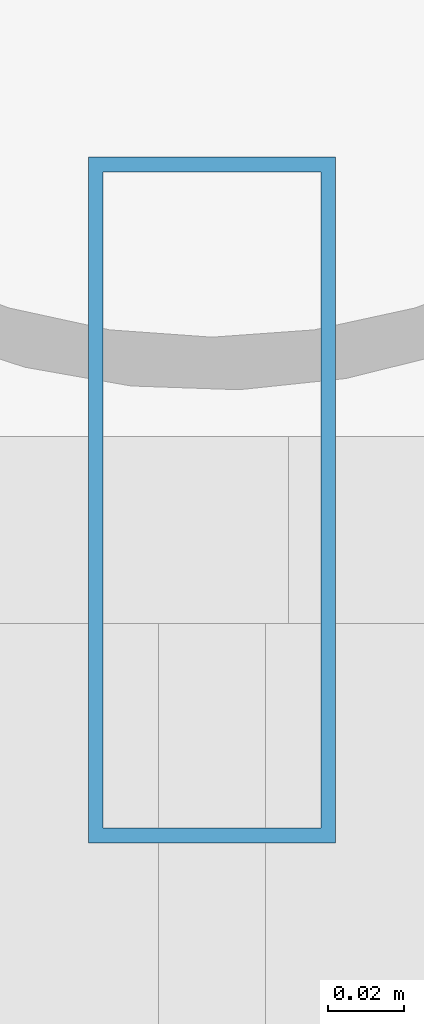
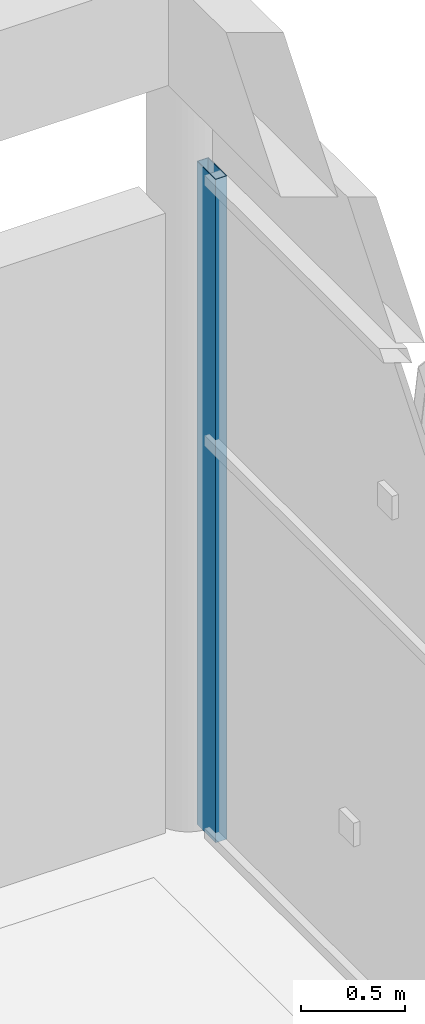
# One storey, part 35 of 52: 1 member, 1 element without a shape of its own.
"""IFC4 building model written with IfcOpenShell, lengths in metres."""

from ifc_helpers import new_model, si_unit, direction, frame, origin, origin_2d, place, context, subcontext, project, spatial, hollow_rectangle, extrude, material, layer, layer_set, material_profile, profile_set, type_object, element, aggregate, save


model = new_model("IFC4")

# Units and contexts
model_context = context("Model", 3, precision=1e-05, world=origin(), true_north=direction((0.0, 1.0)))
body_context = subcontext(model_context, "Body", "Model", "MODEL_VIEW")
ifc_project = project(units=[si_unit("LENGTHUNIT", "METRE"), si_unit("AREAUNIT", "SQUARE_METRE"), si_unit("VOLUMEUNIT", "CUBIC_METRE"), si_unit("PLANEANGLEUNIT", "RADIAN"), si_unit("MASSUNIT", "GRAM", prefix="KILO")], contexts=[model_context])

# Site, building, storey
site_placement = place(None, origin())
site = spatial("IfcSite", under=ifc_project, at=site_placement, CompositionType="ELEMENT")
building_placement = place(site_placement, origin())
building = spatial("IfcBuilding", under=site, at=building_placement, Name="Celestram Park Convention Centre", CompositionType="ELEMENT")
storey_placement = place(building_placement, frame((0.0, 0.0, 24.300048828125)))
storey = spatial("IfcBuildingStorey", under=building, at=storey_placement, Name="L05", CompositionType="ELEMENT", Elevation=24.300048828125)

# Curtain wall, member
ifc_material = material(Name="Anodised Aluminium Alloy 6063-T6", Category="aluminium")
ifc_layer = layer(ifc_material, 0.179931640625)
ifc_layer_set = layer_set([ifc_layer], Name="Anodised Aluminium Alloy 6063-T6")
curtain_wall_type = type_object("IfcCurtainWallType", Name="ARC-CW-680X390", PredefinedType="NOTDEFINED", material=ifc_layer_set)
curtain_wall_placement = place(storey_placement, origin())
curtain_wall = element("IfcCurtainWall", 1, at=curtain_wall_placement, inside=storey, type_object=curtain_wall_type, Name="Unitised curtain wall CU-L05-251", PredefinedType="NOTDEFINED")
ifc_material_profile = material_profile(ifc_material, hollow_rectangle(XDim=0.06494140625, YDim=0.179931640625, WallThickness=0.00390625, at=origin_2d()), Name="ALU65X180X4")
ifc_profile_set = profile_set([ifc_material_profile], Name="Anodised Aluminium Alloy 6063-T6")
member_type = type_object("IfcMemberType", Name="ARC-CWM-150", PredefinedType="MULLION", material=ifc_profile_set)
member_placement = place(storey_placement, frame((99.0, 165.368408203125, 0.0), z_axis=(0.0, 0.0, 1.0), x_axis=(1.0, 0.0, 0.0)))
member = element("IfcMember", 2, at=member_placement, type_object=member_type, Name="CW-68X39 mullion 1", PredefinedType="MULLION", context=body_context, shape_type="SweptSolid", body=[
    extrude(hollow_rectangle(XDim=0.06494140625, YDim=0.179931640625, WallThickness=0.00390625, at=origin_2d()), origin(), (0.0, 0.0, 1.0), 3.904052734375),
])
aggregate(curtain_wall, [member])

save(model, "model.ifc")
